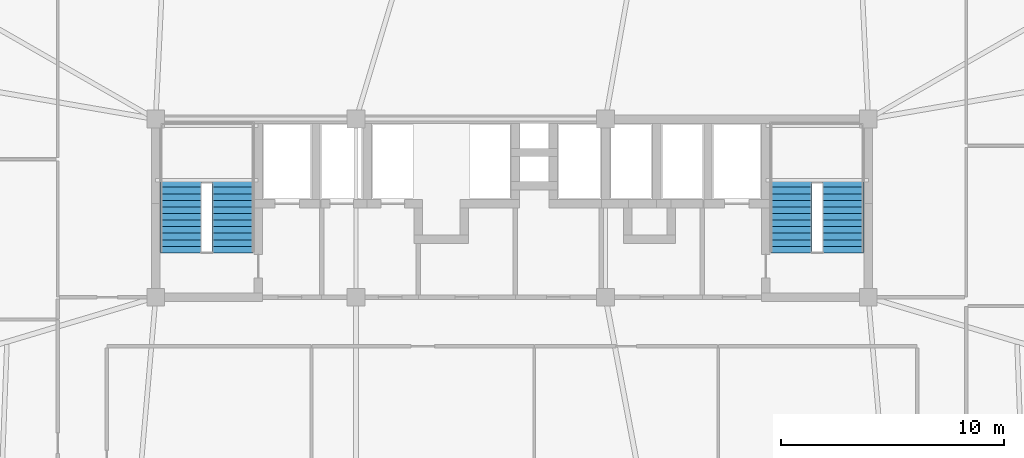
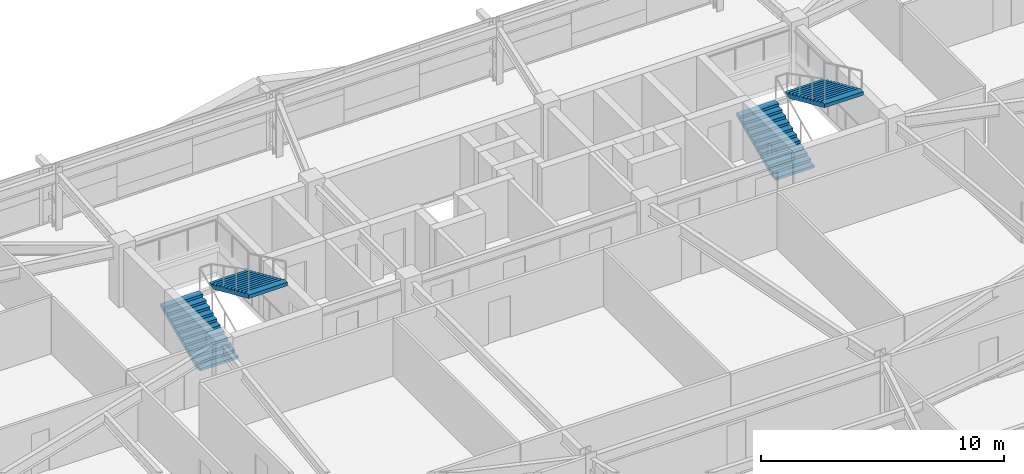
# One storey, part 42 of 45: 4 stair flights, 2 elements without a shape of their own.
"""IFC4 building model written with IfcOpenShell, lengths in metres."""

from ifc_helpers import new_model, si_unit, direction, frame, origin, place, context, subcontext, project, spatial, polyline, outline, extrude, material, type_object, element, aggregate, save


model = new_model("IFC4")

# Units and contexts
model_context = context("Model", 3, precision=1e-05, world=origin(), true_north=direction((0.0, 1.0)))
body_context = subcontext(model_context, "Body", "Model", "MODEL_VIEW")
ifc_project = project(units=[si_unit("LENGTHUNIT", "METRE"), si_unit("AREAUNIT", "SQUARE_METRE"), si_unit("VOLUMEUNIT", "CUBIC_METRE"), si_unit("PLANEANGLEUNIT", "RADIAN"), si_unit("MASSUNIT", "GRAM", prefix="KILO")], contexts=[model_context])

# Site, building, storey
site_placement = place(None, origin())
site = spatial("IfcSite", under=ifc_project, at=site_placement, CompositionType="ELEMENT")
building_placement = place(site_placement, origin())
building = spatial("IfcBuilding", under=site, at=building_placement, Name="Taldren Reach Tower", CompositionType="ELEMENT")
storey_placement = place(building_placement, frame((0.0, 0.0, 57.75)))
storey = spatial("IfcBuildingStorey", under=building, at=storey_placement, Name="L17", CompositionType="ELEMENT", Elevation=57.75)

# Stair, stair flights
ifc_material = material(Name="Concrete S50 (50 MPa)", Category="concrete")
stair_type = type_object("IfcStairType", Name="ST-HT-315", PredefinedType="HALF_TURN_STAIR", material=ifc_material)
stair_1_placement = place(storey_placement, origin())
stair_1 = element("IfcStair", 1, at=stair_1_placement, inside=storey, type_object=stair_type, Name="Fire-isolated exit stair ST1 L17", PredefinedType="HALF_TURN_STAIR")
stair_flight_type = type_object("IfcStairFlightType", Name="SF-STR-315", PredefinedType="STRAIGHT", material=ifc_material)
stair_flight_1_placement = place(storey_placement, frame((20.139892578125, 25.989990234375, 0.0), z_axis=(0.0, 0.0, 1.0), x_axis=(0.0, 1.0, 0.0)))
stair_flight_1 = element("IfcStairFlight", 2, at=stair_flight_1_placement, type_object=stair_flight_type, Name="ST1 flight 1", NumberOfRisers=12, NumberOfTreads=11, PredefinedType="STRAIGHT", RiserHeight=0.13125, TreadLength=0.295, context=body_context, shape_type="SweptSolid", body=[
    extrude(outline(polyline([(0.0, 0.0), (0.0, 0.13134765625), (0.294921875, 0.13134765625), (0.294921875, 0.262451171875), (0.590087890625, 0.262451171875), (0.590087890625, 0.393798828125), (0.885009765625, 0.393798828125), (0.885009765625, 0.52490234375), (1.179931640625, 0.52490234375), (1.179931640625, 0.65625), (1.47509765625, 0.65625), (1.47509765625, 0.78759765625), (1.77001953125, 0.78759765625), (1.77001953125, 0.918701171875), (2.06494140625, 0.918701171875), (2.06494140625, 1.050048828125), (2.360107421875, 1.050048828125), (2.360107421875, 1.18115234375), (2.655029296875, 1.18115234375), (2.655029296875, 1.3125), (2.949951171875, 1.3125), (2.949951171875, 1.44384765625), (3.2451171875, 1.44384765625), (3.2451171875, 1.574951171875), (3.2451171875, 1.268798828125), (0.393310546875, 0.0), (0.0, 0.0)])), frame((0.0, 0.919921875, 0.0), z_axis=(0.0, -1.0, 0.0), x_axis=(1.0, 0.0, 0.0)), (0.0, 0.0, 1.0), 1.840087890625),
])
stair_flight_2_placement = place(storey_placement, frame((22.4599609375, 29.235107421875, 1.574951171875), z_axis=(0.0, 0.0, 1.0), x_axis=(0.0, -1.0, 0.0)))
stair_flight_2 = element("IfcStairFlight", 3, at=stair_flight_2_placement, type_object=stair_flight_type, Name="ST1 flight 2", NumberOfRisers=12, NumberOfTreads=11, PredefinedType="STRAIGHT", RiserHeight=0.13125, TreadLength=0.295, context=body_context, shape_type="SweptSolid", body=[
    extrude(outline(polyline([(0.0, 0.0), (0.0, 0.13134765625), (0.294921875, 0.13134765625), (0.294921875, 0.262451171875), (0.590087890625, 0.262451171875), (0.590087890625, 0.393798828125), (0.885009765625, 0.393798828125), (0.885009765625, 0.52490234375), (1.179931640625, 0.52490234375), (1.179931640625, 0.65625), (1.47509765625, 0.65625), (1.47509765625, 0.78759765625), (1.77001953125, 0.78759765625), (1.77001953125, 0.918701171875), (2.06494140625, 0.918701171875), (2.06494140625, 1.050048828125), (2.360107421875, 1.050048828125), (2.360107421875, 1.18115234375), (2.655029296875, 1.18115234375), (2.655029296875, 1.3125), (2.949951171875, 1.3125), (2.949951171875, 1.44384765625), (3.2451171875, 1.44384765625), (3.2451171875, 1.574951171875), (3.2451171875, 1.268798828125), (0.393310546875, 0.0), (0.0, 0.0)])), frame((0.0, 0.919921875, 0.0), z_axis=(0.0, -1.0, 0.0), x_axis=(1.0, 0.0, 0.0)), (0.0, 0.0, 1.0), 1.840087890625),
])
aggregate(stair_1, [stair_flight_1, stair_flight_2])

stair_2_placement = place(storey_placement, origin())
stair_2 = element("IfcStair", 4, at=stair_2_placement, inside=storey, type_object=stair_type, Name="Fire-isolated exit stair ST2 L17", PredefinedType="HALF_TURN_STAIR")
stair_flight_3_placement = place(storey_placement, frame((47.5400390625, 25.989990234375, 0.0), z_axis=(0.0, 0.0, 1.0), x_axis=(0.0, 1.0, 0.0)))
stair_flight_3 = element("IfcStairFlight", 5, at=stair_flight_3_placement, type_object=stair_flight_type, Name="ST2 flight 1", NumberOfRisers=12, NumberOfTreads=11, PredefinedType="STRAIGHT", RiserHeight=0.13125, TreadLength=0.295, context=body_context, shape_type="SweptSolid", body=[
    extrude(outline(polyline([(0.0, 0.0), (0.0, 0.13134765625), (0.294921875, 0.13134765625), (0.294921875, 0.262451171875), (0.590087890625, 0.262451171875), (0.590087890625, 0.393798828125), (0.885009765625, 0.393798828125), (0.885009765625, 0.52490234375), (1.179931640625, 0.52490234375), (1.179931640625, 0.65625), (1.47509765625, 0.65625), (1.47509765625, 0.78759765625), (1.77001953125, 0.78759765625), (1.77001953125, 0.918701171875), (2.06494140625, 0.918701171875), (2.06494140625, 1.050048828125), (2.360107421875, 1.050048828125), (2.360107421875, 1.18115234375), (2.655029296875, 1.18115234375), (2.655029296875, 1.3125), (2.949951171875, 1.3125), (2.949951171875, 1.44384765625), (3.2451171875, 1.44384765625), (3.2451171875, 1.574951171875), (3.2451171875, 1.268798828125), (0.393310546875, 0.0), (0.0, 0.0)])), frame((0.0, 0.919921875, 0.0), z_axis=(0.0, -1.0, 0.0), x_axis=(1.0, 0.0, 0.0)), (0.0, 0.0, 1.0), 1.840087890625),
])
stair_flight_4_placement = place(storey_placement, frame((49.860107421875, 29.235107421875, 1.574951171875), z_axis=(0.0, 0.0, 1.0), x_axis=(0.0, -1.0, 0.0)))
stair_flight_4 = element("IfcStairFlight", 6, at=stair_flight_4_placement, type_object=stair_flight_type, Name="ST2 flight 2", NumberOfRisers=12, NumberOfTreads=11, PredefinedType="STRAIGHT", RiserHeight=0.13125, TreadLength=0.295, context=body_context, shape_type="SweptSolid", body=[
    extrude(outline(polyline([(0.0, 0.0), (0.0, 0.13134765625), (0.294921875, 0.13134765625), (0.294921875, 0.262451171875), (0.590087890625, 0.262451171875), (0.590087890625, 0.393798828125), (0.885009765625, 0.393798828125), (0.885009765625, 0.52490234375), (1.179931640625, 0.52490234375), (1.179931640625, 0.65625), (1.47509765625, 0.65625), (1.47509765625, 0.78759765625), (1.77001953125, 0.78759765625), (1.77001953125, 0.918701171875), (2.06494140625, 0.918701171875), (2.06494140625, 1.050048828125), (2.360107421875, 1.050048828125), (2.360107421875, 1.18115234375), (2.655029296875, 1.18115234375), (2.655029296875, 1.3125), (2.949951171875, 1.3125), (2.949951171875, 1.44384765625), (3.2451171875, 1.44384765625), (3.2451171875, 1.574951171875), (3.2451171875, 1.268798828125), (0.393310546875, 0.0), (0.0, 0.0)])), frame((0.0, 0.919921875, 0.0), z_axis=(0.0, -1.0, 0.0), x_axis=(1.0, 0.0, 0.0)), (0.0, 0.0, 1.0), 1.840087890625),
])
aggregate(stair_2, [stair_flight_3, stair_flight_4])

save(model, "model.ifc")
